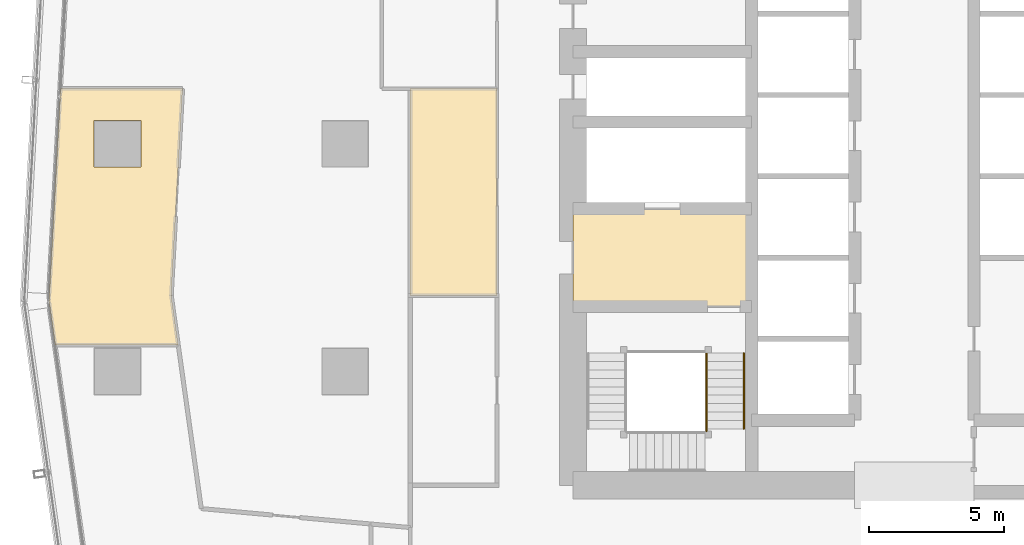
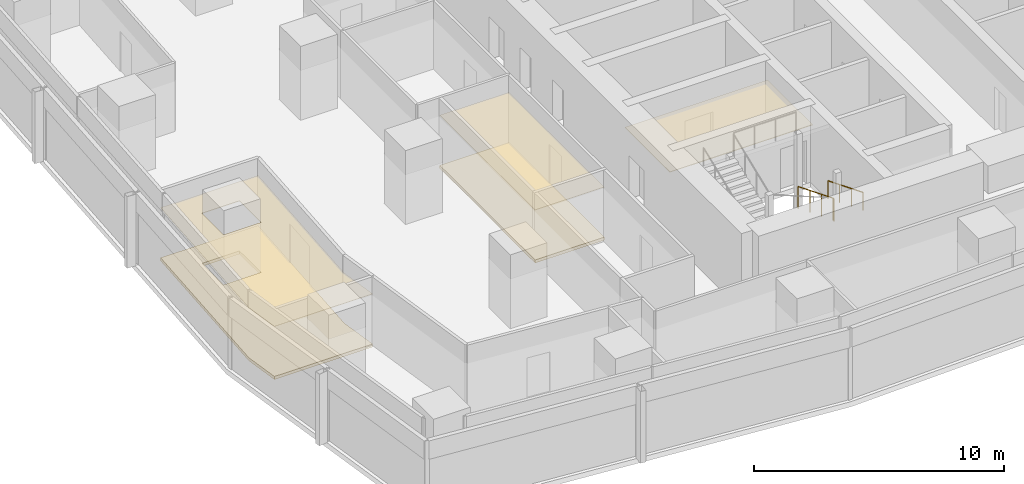
# One storey, part 34 of 40: 5 coverings, 3 railings.
"""IFC4 building model written with IfcOpenShell, lengths in metres."""

from ifc_helpers import new_model, si_unit, direction, frame, origin, origin_2d, place, context, subcontext, project, spatial, polyline, circle, outline, extrude, material, layer, layer_set, type_object, element, save


model = new_model("IFC4")

# Units and contexts
model_context = context("Model", 3, precision=1e-05, world=origin(), true_north=direction((0.0, 1.0)))
body_context = subcontext(model_context, "Body", "Model", "MODEL_VIEW")
ifc_project = project(units=[si_unit("LENGTHUNIT", "METRE"), si_unit("AREAUNIT", "SQUARE_METRE"), si_unit("VOLUMEUNIT", "CUBIC_METRE"), si_unit("PLANEANGLEUNIT", "RADIAN"), si_unit("MASSUNIT", "GRAM", prefix="KILO")], contexts=[model_context])

# Site, building, storey
site_placement = place(None, origin())
site = spatial("IfcSite", under=ifc_project, at=site_placement, CompositionType="ELEMENT")
building_placement = place(site_placement, origin())
building = spatial("IfcBuilding", under=site, at=building_placement, Name="Rekha Terrace Tower", CompositionType="ELEMENT")
storey_placement = place(building_placement, frame((0.0, 0.0, 102.800048828125)))
storey = spatial("IfcBuildingStorey", under=building, at=storey_placement, Name="L25", CompositionType="ELEMENT", Elevation=102.800048828125)

# Coverings
ifc_material_1 = material(Name="Mineral fibre tile in exposed grid", Category="finish")
ifc_layer_1 = layer(ifc_material_1, 0.02001953125)
ifc_layer_set_1 = layer_set([ifc_layer_1], Name="Mineral fibre tile in exposed grid")
covering_type_1 = type_object("IfcCoveringType", Name="CL1 600x1200 office grid ceiling", PredefinedType="CEILING", material=ifc_layer_set_1)
covering_1_placement = place(storey_placement, frame((0.0, 0.0, 2.579833984375)))
element("IfcCovering", 1, at=covering_1_placement, inside=storey, type_object=covering_type_1, Name="Ceiling L25-18", PredefinedType="CEILING", context=body_context, shape_type="SweptSolid", body=[
    extrude(outline(polyline([(10.381103515625, 28.006103515625), (10.800048828125, 35.634033203125), (6.29296875, 35.634033203125), (5.864013671875, 27.81298828125), (6.094970703125, 26.177001953125), (10.638916015625, 26.177001953125), (10.381103515625, 28.006103515625)]), holes=[polyline([(9.264892578125, 32.735107421875), (7.534912109375, 32.735107421875), (7.534912109375, 34.465087890625), (9.264892578125, 34.465087890625), (9.264892578125, 32.735107421875)])]), origin(), (0.0, 0.0, 1.0), 0.02001953125),
])
covering_2_placement = place(storey_placement, frame((0.0, 0.0, 2.579833984375)))
element("IfcCovering", 2, at=covering_2_placement, inside=storey, type_object=covering_type_1, Name="Ceiling L25-21", PredefinedType="CEILING", context=body_context, shape_type="SweptSolid", body=[
    extrude(outline(polyline([(19.199951171875, 35.636962890625), (19.199951171875, 28.0), (22.39990234375, 28.0), (22.39990234375, 35.636962890625), (19.199951171875, 35.636962890625)])), origin(), (0.0, 0.0, 1.0), 0.02001953125),
])
ifc_material_2 = material(Name="Powder-coated aluminium pan", Category="aluminium")
ifc_layer_2 = layer(ifc_material_2, 0.030029296875)
ifc_layer_set_2 = layer_set([ifc_layer_2], Name="Powder-coated aluminium pan")
covering_type_2 = type_object("IfcCoveringType", Name="CL3 300x1200 metal pan ceiling", PredefinedType="CEILING", material=ifc_layer_set_2)
covering_3_placement = place(storey_placement, frame((0.0, 0.0, 2.570068359375)))
element("IfcCovering", 3, at=covering_3_placement, inside=storey, type_object=covering_type_2, Name="Ceiling L25-FLB1", PredefinedType="CEILING", context=body_context, shape_type="SweptSolid", body=[
    extrude(outline(polyline([(31.800048828125, 31.199951171875), (25.199951171875, 31.199951171875), (25.199951171875, 27.60009765625), (31.800048828125, 27.60009765625), (31.800048828125, 31.199951171875)])), origin(), (0.0, 0.0, 1.0), 0.02978515625),
])

# Railings
ifc_material_3 = material(Name="Stainless steel balustrade", Category="steel")
railing_type_1 = type_object("IfcRailingType", Name="GR1 1100 stair guard", PredefinedType="GUARDRAIL", material=ifc_material_3)
railing_1_placement = place(storey_placement, frame((30.135009765625, 25.875, 0.125)))
element("IfcRailing", 4, at=railing_1_placement, inside=storey, type_object=railing_type_1, Name="Guard ST1 L25 flight 1", PredefinedType="GUARDRAIL", context=body_context, shape_type="SweptSolid", body=[
    extrude(circle(Radius=0.02392578125, at=origin_2d()), frame((0.0, 0.0, 1.076171875), z_axis=(0.0, -0.927443287984, 0.373963831907), x_axis=(1.0, 0.0, 0.0)), (0.0, 0.0, 1.0), 3.00830078125),
    extrude(circle(Radius=0.02099609375, at=origin_2d()), origin(), (0.0, 0.0, 1.0), 1.052001953125),
    extrude(circle(Radius=0.02099609375, at=origin_2d()), frame((0.0, -0.929931640625, 0.375)), (0.0, 0.0, 1.0), 1.052001953125),
    extrude(circle(Radius=0.02099609375, at=origin_2d()), frame((0.0, -1.860107421875, 0.75)), (0.0, 0.0, 1.0), 1.052001953125),
    extrude(circle(Radius=0.02099609375, at=origin_2d()), frame((0.0, -2.7900390625, 1.125)), (0.0, 0.0, 1.0), 1.052001953125),
])
railing_2_placement = place(storey_placement, frame((30.135009765625, 23.0849609375, 1.25)))
element("IfcRailing", 5, at=railing_2_placement, inside=storey, type_object=railing_type_1, Name="Guard ST1 L25 landing 1", PredefinedType="GUARDRAIL", context=body_context, shape_type="SweptSolid", body=[
    extrude(circle(Radius=0.02392578125, at=origin_2d()), frame((0.0, 0.0, 1.076171875), z_axis=(0.0, -1.0, 0.0), x_axis=(1.0, 0.0, 0.0)), (0.0, 0.0, 1.0), 0.0849609375),
    extrude(circle(Radius=0.02099609375, at=origin_2d()), origin(), (0.0, 0.0, 1.0), 1.052001953125),
    extrude(circle(Radius=0.02099609375, at=origin_2d()), frame((0.0, -0.0849609375, 0.0)), (0.0, 0.0, 1.0), 1.052001953125),
])
ifc_material_4 = material(Name="Stainless steel tube", Category="steel")
railing_type_2 = type_object("IfcRailingType", Name="HR1 900 stair handrail", PredefinedType="HANDRAIL", material=ifc_material_4)
railing_3_placement = place(storey_placement, frame((31.514892578125, 25.875, 0.125)))
element("IfcRailing", 6, at=railing_3_placement, inside=storey, type_object=railing_type_2, Name="Handrail ST1 L25 flight 1", PredefinedType="HANDRAIL", context=body_context, shape_type="SweptSolid", body=[
    extrude(circle(Radius=0.02392578125, at=origin_2d()), frame((0.0, 0.0, 0.8759765625), z_axis=(0.0, -0.927443287984, 0.373963831907), x_axis=(1.0, 0.0, 0.0)), (0.0, 0.0, 1.0), 3.00830078125),
    extrude(circle(Radius=0.02099609375, at=origin_2d()), origin(), (0.0, 0.0, 1.0), 0.851806640625),
    extrude(circle(Radius=0.02099609375, at=origin_2d()), frame((0.0, -0.929931640625, 0.375)), (0.0, 0.0, 1.0), 0.851806640625),
    extrude(circle(Radius=0.02099609375, at=origin_2d()), frame((0.0, -1.860107421875, 0.75)), (0.0, 0.0, 1.0), 0.851806640625),
    extrude(circle(Radius=0.02099609375, at=origin_2d()), frame((0.0, -2.7900390625, 1.125)), (0.0, 0.0, 1.0), 0.851806640625),
])

# Coverings
ifc_material_5 = material(Name="Calcium sulphate panels on steel pedestals", Category="steel")
ifc_layer_3 = layer(ifc_material_5, 0.14990234375)
ifc_layer_set_3 = layer_set([ifc_layer_3], Name="Calcium sulphate panels on steel pedestals")
covering_type_3 = type_object("IfcCoveringType", Name="RF1 150 raised access floor", PredefinedType="FLOORING", material=ifc_layer_set_3)
covering_4_placement = place(storey_placement, origin())
element("IfcCovering", 7, at=covering_4_placement, inside=storey, type_object=covering_type_3, Name="Raised floor L25-18", PredefinedType="FLOORING", context=body_context, shape_type="SweptSolid", body=[
    extrude(outline(polyline([(10.381103515625, 28.006103515625), (10.800048828125, 35.634033203125), (6.29296875, 35.634033203125), (5.864013671875, 27.81298828125), (6.094970703125, 26.177001953125), (10.638916015625, 26.177001953125), (10.381103515625, 28.006103515625)]), holes=[polyline([(9.264892578125, 32.735107421875), (7.534912109375, 32.735107421875), (7.534912109375, 34.465087890625), (9.264892578125, 34.465087890625), (9.264892578125, 32.735107421875)])]), origin(), (0.0, 0.0, 1.0), 0.14990234375),
])
covering_5_placement = place(storey_placement, origin())
element("IfcCovering", 8, at=covering_5_placement, inside=storey, type_object=covering_type_3, Name="Raised floor L25-21", PredefinedType="FLOORING", context=body_context, shape_type="SweptSolid", body=[
    extrude(outline(polyline([(19.199951171875, 35.636962890625), (19.199951171875, 28.0), (22.39990234375, 28.0), (22.39990234375, 35.636962890625), (19.199951171875, 35.636962890625)])), origin(), (0.0, 0.0, 1.0), 0.14990234375),
])

save(model, "model.ifc")
